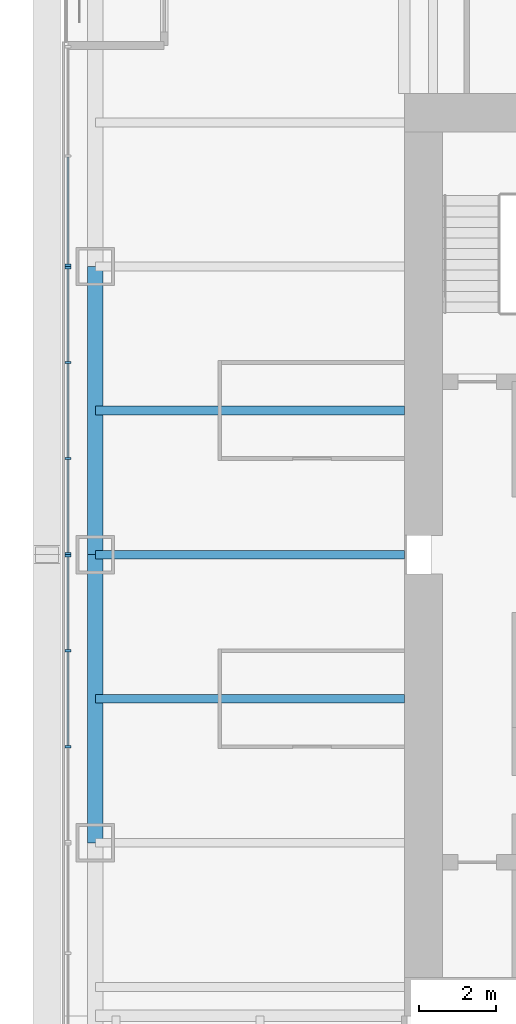
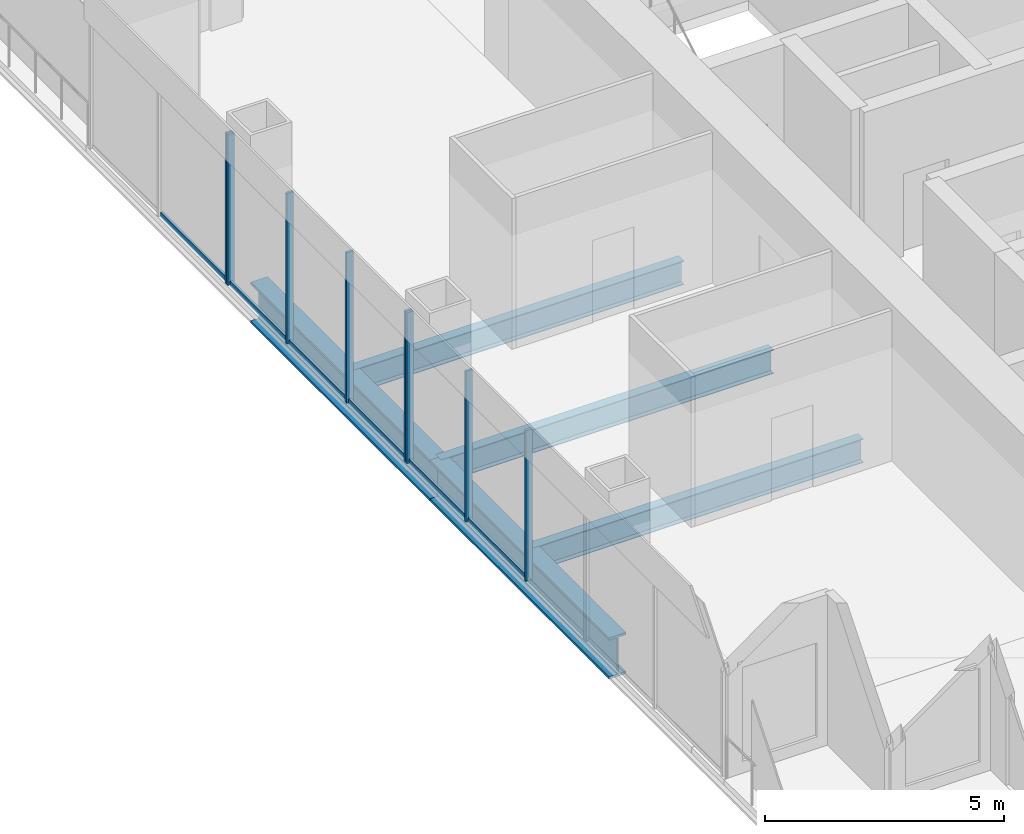
# One storey, part 5 of 18: 14 members, 5 beams, 3 elements without a shape of their own.
"""IFC4 building model written with IfcOpenShell, lengths in metres."""

from ifc_helpers import new_model, si_unit, direction, frame, origin, origin_2d, place, context, subcontext, project, spatial, rectangle, i_section, extrude, material, material_profile, profile_set, type_object, element, aggregate, save


model = new_model("IFC4")

# Units and contexts
model_context = context("Model", 3, precision=1e-05, world=origin(), true_north=direction((0.0, 1.0)))
body_context = subcontext(model_context, "Body", "Model", "MODEL_VIEW")
ifc_project = project(units=[si_unit("LENGTHUNIT", "METRE"), si_unit("AREAUNIT", "SQUARE_METRE"), si_unit("VOLUMEUNIT", "CUBIC_METRE"), si_unit("PLANEANGLEUNIT", "RADIAN"), si_unit("MASSUNIT", "GRAM", prefix="KILO")], contexts=[model_context])

# Site, building, storey
site_placement = place(None, origin())
site = spatial("IfcSite", under=ifc_project, at=site_placement, CompositionType="ELEMENT")
building_placement = place(site_placement, origin())
building = spatial("IfcBuilding", under=site, at=building_placement, Name="Tarangal Relay Tower", CompositionType="ELEMENT")
storey_placement = place(building_placement, frame((0.0, 0.0, 295.89990234375)))
storey = spatial("IfcBuildingStorey", under=building, at=storey_placement, Name="L65", CompositionType="ELEMENT", Elevation=295.89990234375)

# Beams
ifc_material_1 = material(Name="Steel ASTM A992", Category="steel")
ifc_material_profile_1 = material_profile(ifc_material_1, i_section(OverallWidth=0.41162109375, OverallDepth=1.049072265625, WebThickness=0.033935546875, FlangeThickness=0.059814453125, at=origin_2d()), Name="W40X431")
ifc_profile_set_1 = profile_set([ifc_material_profile_1], Name="Steel ASTM A992")
beam_type_1 = type_object("IfcBeamType", Name="Edge girder W40X431", PredefinedType="SPANDREL", material=ifc_profile_set_1)
for number, where, z_axis, x_axis, name in (
    (1, (-20.0400390625, -7.5, -0.67431640625), (0.0, 1.0, 0.0), (-1.0, 0.0, 0.0), "Edge girder EG1 W L65"),
    (2, (-20.0400390625, 0.0, -0.67431640625), (0.0, 1.0, 0.0), (-1.0, 0.0, 0.0), "Edge girder EG1 W L65"),
):
    element("IfcBeam", number, at=place(storey_placement, frame(where, z_axis=z_axis, x_axis=x_axis)), inside=storey, type_object=beam_type_1, Name=name, PredefinedType="SPANDREL", context=body_context, shape_type="SweptSolid", body=[
        extrude(i_section(OverallWidth=0.41162109375, OverallDepth=1.049072265625, WebThickness=0.033935546875, FlangeThickness=0.059814453125, at=origin_2d()), origin(), (0.0, 0.0, 1.0), 7.5),
    ])
ifc_material_profile_2 = material_profile(ifc_material_1, i_section(OverallWidth=0.228271484375, OverallDepth=0.607177734375, WebThickness=0.01123046875, FlangeThickness=0.017333984375, at=origin_2d()), Name="W24X76")
ifc_profile_set_2 = profile_set([ifc_material_profile_2], Name="Steel ASTM A992")
beam_type_2 = type_object("IfcBeamType", Name="Floor beam W24X76", PredefinedType="BEAM", material=ifc_profile_set_2)
for number, where, z_axis, x_axis, name in (
    (3, (-12.0, -3.75, -0.453369140625), (-1.0, 0.0, 0.0), (0.0, -1.0, 0.0), "Floor beam RB5 W L65"),
    (4, (-12.0, 0.0, -0.453369140625), (-1.0, 0.0, 0.0), (0.0, -1.0, 0.0), "Floor beam RB5 W L65"),
    (5, (-12.0, 3.75, -0.453369140625), (-1.0, 0.0, 0.0), (0.0, -1.0, 0.0), "Floor beam RB5 W L65"),
):
    element("IfcBeam", number, at=place(storey_placement, frame(where, z_axis=z_axis, x_axis=x_axis)), inside=storey, type_object=beam_type_2, Name=name, PredefinedType="BEAM", context=body_context, shape_type="SweptSolid", body=[
        extrude(i_section(OverallWidth=0.228271484375, OverallDepth=0.607177734375, WebThickness=0.01123046875, FlangeThickness=0.017333984375, at=origin_2d()), origin(), (0.0, 0.0, 1.0), 8.0400390625),
    ])

# Curtain wall, members
ifc_material_2 = material(Name="Unitised curtain wall, dark glass and black aluminium", Category="aluminium")
curtain_wall_type = type_object("IfcCurtainWallType", Name="Curtain wall CW-B", PredefinedType="USERDEFINED", material=ifc_material_2)
curtain_wall_1_placement = place(storey_placement, origin())
curtain_wall_1 = element("IfcCurtainWall", 6, at=curtain_wall_1_placement, inside=storey, type_object=curtain_wall_type, Name="Curtain wall CW-B W facade L65", ObjectType="UNITISED CURTAIN WALL", PredefinedType="USERDEFINED")
ifc_material_3 = material(Name="Black anodised aluminium mullion", Category="aluminium")
ifc_material_profile_3 = material_profile(ifc_material_3, rectangle(XDim=0.159912109375, YDim=0.06005859375, at=origin_2d()), Name="CW-BM 60X160")
ifc_profile_set_3 = profile_set([ifc_material_profile_3], Name="Black anodised aluminium mullion")
member_type_1 = type_object("IfcMemberType", Name="Mullion CW-B 60 x 160", PredefinedType="MULLION", material=ifc_profile_set_3)
member_1_placement = place(storey_placement, frame((-20.75, -5.0, 0.0), z_axis=(0.0, 0.0, 1.0), x_axis=(-1.0, 0.0, 0.0)))
member_1 = element("IfcMember", 7, at=member_1_placement, type_object=member_type_1, Name="CW-B mullion 2", PredefinedType="MULLION", context=body_context, shape_type="SweptSolid", body=[
    extrude(rectangle(XDim=0.159912109375, YDim=0.06005859375, at=origin_2d()), origin(), (0.0, 0.0, 1.0), 3.85009765625),
])
member_2_placement = place(storey_placement, frame((-20.75, -2.5, 0.0), z_axis=(0.0, 0.0, 1.0), x_axis=(-1.0, 0.0, 0.0)))
member_2 = element("IfcMember", 8, at=member_2_placement, type_object=member_type_1, Name="CW-B mullion 3", PredefinedType="MULLION", context=body_context, shape_type="SweptSolid", body=[
    extrude(rectangle(XDim=0.159912109375, YDim=0.06005859375, at=origin_2d()), origin(), (0.0, 0.0, 1.0), 3.85009765625),
])
member_3_placement = place(storey_placement, frame((-20.75, -0.030029296875, 0.0), z_axis=(0.0, 0.0, 1.0), x_axis=(-1.0, 0.0, 0.0)))
member_3 = element("IfcMember", 9, at=member_3_placement, type_object=member_type_1, Name="CW-B mullion 4", PredefinedType="MULLION", context=body_context, shape_type="SweptSolid", body=[
    extrude(rectangle(XDim=0.159912109375, YDim=0.06005859375, at=origin_2d()), origin(), (0.0, 0.0, 1.0), 3.85009765625),
])

curtain_wall_2_placement = place(storey_placement, origin())
curtain_wall_2 = element("IfcCurtainWall", 10, at=curtain_wall_2_placement, inside=storey, type_object=curtain_wall_type, Name="Curtain wall CW-B W facade L65", ObjectType="UNITISED CURTAIN WALL", PredefinedType="USERDEFINED")
member_4_placement = place(storey_placement, frame((-20.75, 0.030029296875, 0.0), z_axis=(0.0, 0.0, 1.0), x_axis=(-1.0, 0.0, 0.0)))
member_4 = element("IfcMember", 11, at=member_4_placement, type_object=member_type_1, Name="CW-B mullion 1", PredefinedType="MULLION", context=body_context, shape_type="SweptSolid", body=[
    extrude(rectangle(XDim=0.159912109375, YDim=0.06005859375, at=origin_2d()), origin(), (0.0, 0.0, 1.0), 3.85009765625),
])
member_5_placement = place(storey_placement, frame((-20.75, 2.5, 0.0), z_axis=(0.0, 0.0, 1.0), x_axis=(-1.0, 0.0, 0.0)))
member_5 = element("IfcMember", 12, at=member_5_placement, type_object=member_type_1, Name="CW-B mullion 2", PredefinedType="MULLION", context=body_context, shape_type="SweptSolid", body=[
    extrude(rectangle(XDim=0.159912109375, YDim=0.06005859375, at=origin_2d()), origin(), (0.0, 0.0, 1.0), 3.85009765625),
])
member_6_placement = place(storey_placement, frame((-20.75, 5.0, 0.0), z_axis=(0.0, 0.0, 1.0), x_axis=(-1.0, 0.0, 0.0)))
member_6 = element("IfcMember", 13, at=member_6_placement, type_object=member_type_1, Name="CW-B mullion 3", PredefinedType="MULLION", context=body_context, shape_type="SweptSolid", body=[
    extrude(rectangle(XDim=0.159912109375, YDim=0.06005859375, at=origin_2d()), origin(), (0.0, 0.0, 1.0), 3.85009765625),
])
member_7_placement = place(storey_placement, frame((-20.75, 7.469970703125, 0.0), z_axis=(0.0, 0.0, 1.0), x_axis=(-1.0, 0.0, 0.0)))
member_7 = element("IfcMember", 14, at=member_7_placement, type_object=member_type_1, Name="CW-B mullion 4", PredefinedType="MULLION", context=body_context, shape_type="SweptSolid", body=[
    extrude(rectangle(XDim=0.159912109375, YDim=0.06005859375, at=origin_2d()), origin(), (0.0, 0.0, 1.0), 3.85009765625),
])

# Curtain wall, member
curtain_wall_3_placement = place(storey_placement, origin())
curtain_wall_3 = element("IfcCurtainWall", 15, at=curtain_wall_3_placement, inside=storey, type_object=curtain_wall_type, Name="Curtain wall CW-B W facade L65", ObjectType="UNITISED CURTAIN WALL", PredefinedType="USERDEFINED")
member_8_placement = place(storey_placement, frame((-20.75, 7.530029296875, 0.0), z_axis=(0.0, 0.0, 1.0), x_axis=(-1.0, 0.0, 0.0)))
member_8 = element("IfcMember", 16, at=member_8_placement, type_object=member_type_1, Name="CW-B mullion 1", PredefinedType="MULLION", context=body_context, shape_type="SweptSolid", body=[
    extrude(rectangle(XDim=0.159912109375, YDim=0.06005859375, at=origin_2d()), origin(), (0.0, 0.0, 1.0), 3.85009765625),
])

# Member
ifc_material_4 = material(Name="Black anodised aluminium transom", Category="aluminium")
ifc_material_profile_4 = material_profile(ifc_material_4, rectangle(XDim=0.06005859375, YDim=0.1298828125, at=origin_2d()), Name="CW-BT 60X130")
ifc_profile_set_4 = profile_set([ifc_material_profile_4], Name="Black anodised aluminium transom")
member_type_2 = type_object("IfcMemberType", Name="Transom CW-B 60 x 130", PredefinedType="USERDEFINED", material=ifc_profile_set_4)
member_9_placement = place(storey_placement, frame((-20.75, -4.969970703125, 0.030029296875), z_axis=(0.0, 1.0, 0.0), x_axis=(-1.0, 0.0, 0.0)))
member_9 = element("IfcMember", 17, at=member_9_placement, type_object=member_type_2, Name="CW-B transom 2.1", ObjectType="TRANSOM", PredefinedType="USERDEFINED", context=body_context, shape_type="SweptSolid", body=[
    extrude(rectangle(XDim=0.06005859375, YDim=0.1298828125, at=origin_2d()), origin(), (0.0, 0.0, 1.0), 2.43994140625),
])

member_10_placement = place(storey_placement, frame((-20.75, -2.469970703125, 0.030029296875), z_axis=(0.0, 1.0, 0.0), x_axis=(-1.0, 0.0, 0.0)))
member_10 = element("IfcMember", 18, at=member_10_placement, type_object=member_type_2, Name="CW-B transom 3.1", ObjectType="TRANSOM", PredefinedType="USERDEFINED", context=body_context, shape_type="SweptSolid", body=[
    extrude(rectangle(XDim=0.06005859375, YDim=0.1298828125, at=origin_2d()), origin(), (0.0, 0.0, 1.0), 2.409912109375),
])

aggregate(curtain_wall_1, [member_1, member_2, member_3, member_9, member_10])

member_11_placement = place(storey_placement, frame((-20.75, 0.06005859375, 0.030029296875), z_axis=(0.0, 1.0, 0.0), x_axis=(-1.0, 0.0, 0.0)))
member_11 = element("IfcMember", 19, at=member_11_placement, type_object=member_type_2, Name="CW-B transom 1.1", ObjectType="TRANSOM", PredefinedType="USERDEFINED", context=body_context, shape_type="SweptSolid", body=[
    extrude(rectangle(XDim=0.06005859375, YDim=0.1298828125, at=origin_2d()), origin(), (0.0, 0.0, 1.0), 2.409912109375),
])

member_12_placement = place(storey_placement, frame((-20.75, 2.530029296875, 0.030029296875), z_axis=(0.0, 1.0, 0.0), x_axis=(-1.0, 0.0, 0.0)))
member_12 = element("IfcMember", 20, at=member_12_placement, type_object=member_type_2, Name="CW-B transom 2.1", ObjectType="TRANSOM", PredefinedType="USERDEFINED", context=body_context, shape_type="SweptSolid", body=[
    extrude(rectangle(XDim=0.06005859375, YDim=0.1298828125, at=origin_2d()), origin(), (0.0, 0.0, 1.0), 2.43994140625),
])

member_13_placement = place(storey_placement, frame((-20.75, 5.030029296875, 0.030029296875), z_axis=(0.0, 1.0, 0.0), x_axis=(-1.0, 0.0, 0.0)))
member_13 = element("IfcMember", 21, at=member_13_placement, type_object=member_type_2, Name="CW-B transom 3.1", ObjectType="TRANSOM", PredefinedType="USERDEFINED", context=body_context, shape_type="SweptSolid", body=[
    extrude(rectangle(XDim=0.06005859375, YDim=0.1298828125, at=origin_2d()), origin(), (0.0, 0.0, 1.0), 2.409912109375),
])

aggregate(curtain_wall_2, [member_4, member_5, member_6, member_7, member_11, member_12, member_13])

member_14_placement = place(storey_placement, frame((-20.75, 7.56005859375, 0.030029296875), z_axis=(0.0, 1.0, 0.0), x_axis=(-1.0, 0.0, 0.0)))
member_14 = element("IfcMember", 22, at=member_14_placement, type_object=member_type_2, Name="CW-B transom 1.1", ObjectType="TRANSOM", PredefinedType="USERDEFINED", context=body_context, shape_type="SweptSolid", body=[
    extrude(rectangle(XDim=0.06005859375, YDim=0.1298828125, at=origin_2d()), origin(), (0.0, 0.0, 1.0), 2.784912109375),
])

aggregate(curtain_wall_3, [member_8, member_14])

save(model, "model.ifc")
